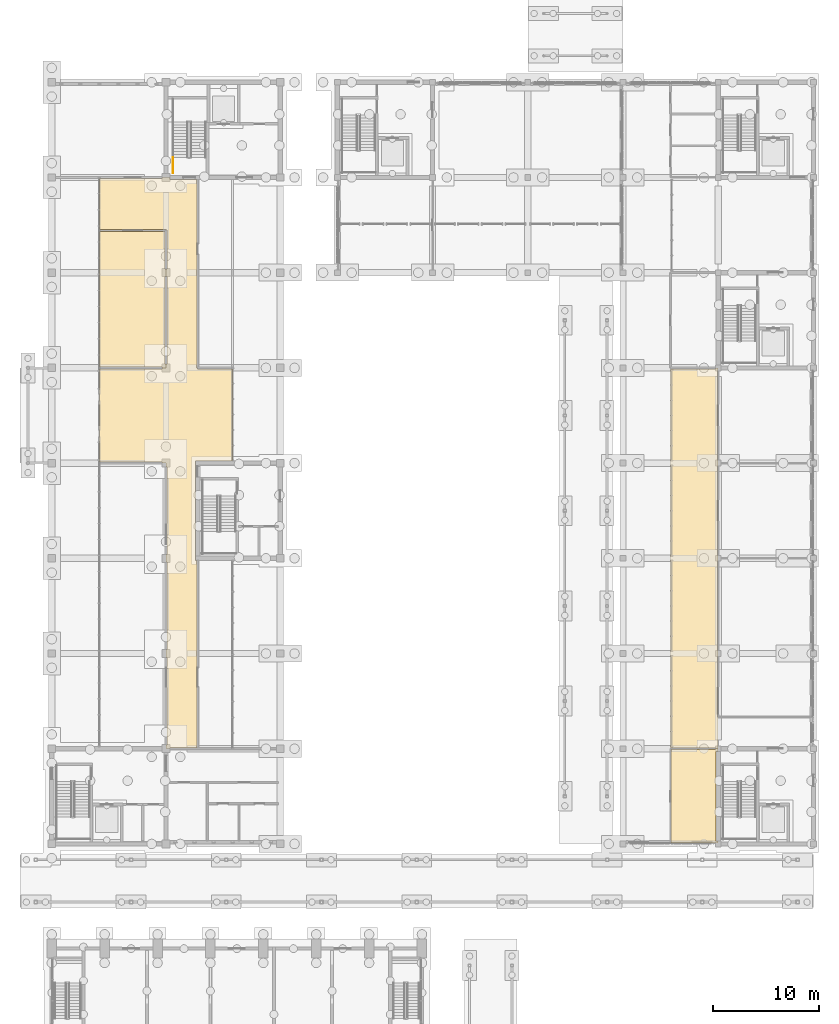
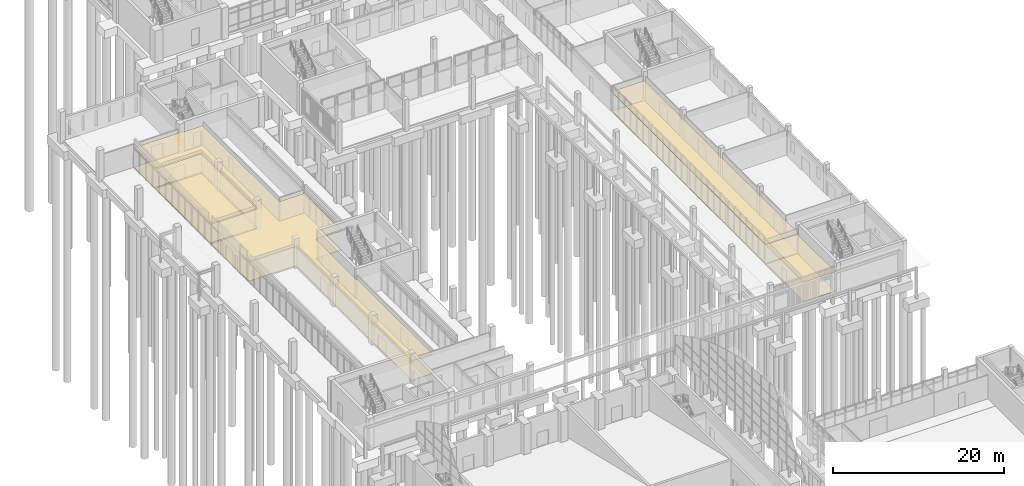
# One storey, part 93 of 106: 8 coverings, 1 railing.
"""IFC4 building model written with IfcOpenShell, lengths in metres."""

from ifc_helpers import new_model, si_unit, direction, frame, origin, origin_2d, place, context, subcontext, project, spatial, polyline, circle, outline, extrude, material, layer, layer_set, type_object, element, save


model = new_model("IFC4")

# Units and contexts
model_context = context("Model", 3, precision=1e-05, world=origin(), true_north=direction((0.0, 1.0)))
body_context = subcontext(model_context, "Body", "Model", "MODEL_VIEW")
ifc_project = project(units=[si_unit("LENGTHUNIT", "METRE"), si_unit("AREAUNIT", "SQUARE_METRE"), si_unit("VOLUMEUNIT", "CUBIC_METRE"), si_unit("PLANEANGLEUNIT", "RADIAN"), si_unit("MASSUNIT", "GRAM", prefix="KILO")], contexts=[model_context])

# Site, building, storey
site_placement = place(None, origin())
site = spatial("IfcSite", under=ifc_project, at=site_placement, CompositionType="ELEMENT")
building_placement = place(site_placement, origin())
building = spatial("IfcBuilding", under=site, at=building_placement, Name="Merrow Basin Faculty of Sciences", CompositionType="ELEMENT")
storey_placement = place(building_placement, origin())
storey = spatial("IfcBuildingStorey", under=building, at=storey_placement, Name="L00", CompositionType="ELEMENT", Elevation=0.0)

# Coverings
ifc_material_1 = material(Name="Carpet tile floor")
ifc_layer_1 = layer(ifc_material_1, 0.02001953125)
ifc_layer_set_1 = layer_set([ifc_layer_1], Name="Carpet tile floor")
covering_type_1 = type_object("IfcCoveringType", Name="Carpet tile floor", PredefinedType="FLOORING", material=ifc_layer_set_1)
covering_1_placement = place(storey_placement, origin())
element("IfcCovering", 1, at=covering_1_placement, inside=storey, type_object=covering_type_1, Name="Floor finish L00-C-020", PredefinedType="FLOORING", context=body_context, shape_type="SweptSolid", body=[
    extrude(outline(polyline([(62.989990234375, 105.989990234375), (62.989990234375, 105.735107421875), (62.93994140625, 105.735107421875), (62.93994140625, 97.264892578125), (62.989990234375, 97.264892578125), (62.989990234375, 96.735107421875), (62.93994140625, 96.735107421875), (62.93994140625, 88.264892578125), (62.989990234375, 88.264892578125), (62.989990234375, 87.735107421875), (62.93994140625, 87.735107421875), (62.93994140625, 79.264892578125), (62.989990234375, 79.264892578125), (62.989990234375, 78.735107421875), (62.93994140625, 78.735107421875), (62.93994140625, 72.989990234375), (62.989990234375, 72.989990234375), (62.989990234375, 70.010009765625), (62.735107421875, 70.010009765625), (62.735107421875, 70.06005859375), (58.510009765625, 70.06005859375), (58.510009765625, 105.9150390625), (62.735107421875, 105.9150390625), (62.735107421875, 105.989990234375), (62.989990234375, 105.989990234375)])), origin(), (0.0, 0.0, 1.0), 0.02001953125),
])
covering_2_placement = place(storey_placement, origin())
element("IfcCovering", 2, at=covering_2_placement, inside=storey, type_object=covering_type_1, Name="Floor finish L00-C-024", PredefinedType="FLOORING", context=body_context, shape_type="SweptSolid", body=[
    extrude(outline(polyline([(62.989990234375, 69.989990234375), (62.989990234375, 69.735107421875), (62.7900390625, 69.735107421875), (62.7900390625, 61.264892578125), (62.989990234375, 61.264892578125), (62.989990234375, 61.110107421875), (58.56005859375, 61.110107421875), (58.56005859375, 69.93994140625), (62.735107421875, 69.93994140625), (62.735107421875, 69.989990234375), (62.989990234375, 69.989990234375)])), origin(), (0.0, 0.0, 1.0), 0.02001953125),
])
ifc_material_2 = material(Name="Polished terrazzo floor")
ifc_layer_2 = layer(ifc_material_2, 0.02001953125)
ifc_layer_set_2 = layer_set([ifc_layer_2], Name="Polished terrazzo floor")
covering_type_2 = type_object("IfcCoveringType", Name="Polished terrazzo floor", PredefinedType="FLOORING", material=ifc_layer_set_2)
covering_3_placement = place(storey_placement, origin())
element("IfcCovering", 3, at=covering_3_placement, inside=storey, type_object=covering_type_2, Name="Floor finish L00-B-019", PredefinedType="FLOORING", context=body_context, shape_type="SweptSolid", body=[
    extrude(outline(polyline([(10.43505859375, 97.010009765625), (10.43505859375, 97.0849609375), (4.510009765625, 97.0849609375), (4.510009765625, 105.9150390625), (10.43505859375, 105.9150390625), (10.43505859375, 105.989990234375), (10.81005859375, 105.989990234375), (10.81005859375, 106.364990234375), (10.885009765625, 106.364990234375), (10.885009765625, 114.635009765625), (10.81005859375, 114.635009765625), (10.81005859375, 115.364990234375), (10.885009765625, 115.364990234375), (10.885009765625, 119.010009765625), (10.81005859375, 119.010009765625), (10.81005859375, 119.0849609375), (4.510009765625, 119.0849609375), (4.510009765625, 123.9150390625), (10.43505859375, 123.9150390625), (10.43505859375, 123.989990234375), (11.1650390625, 123.989990234375), (11.1650390625, 123.7900390625), (13.715087890625, 123.7900390625), (13.715087890625, 105.989990234375), (13.7900390625, 105.989990234375), (13.7900390625, 105.9150390625), (17.090087890625, 105.9150390625), (17.090087890625, 97.2099609375), (13.590087890625, 97.2099609375), (13.590087890625, 96.800048828125), (13.590087890625, 88.2099609375), (13.590087890625, 87.7900390625), (13.715087890625, 87.7900390625), (13.715087890625, 70.0849609375), (11.1650390625, 70.0849609375), (11.1650390625, 70.010009765625), (10.81005859375, 70.010009765625), (10.81005859375, 70.364990234375), (10.885009765625, 70.364990234375), (10.885009765625, 78.635009765625), (10.81005859375, 78.635009765625), (10.81005859375, 79.364990234375), (10.885009765625, 79.364990234375), (10.885009765625, 87.635009765625), (10.81005859375, 87.635009765625), (10.81005859375, 88.364990234375), (10.885009765625, 88.364990234375), (10.885009765625, 96.635009765625), (10.81005859375, 96.635009765625), (10.81005859375, 97.010009765625), (10.43505859375, 97.010009765625)])), origin(), (0.0, 0.0, 1.0), 0.02001953125),
])
covering_4_placement = place(storey_placement, origin())
element("IfcCovering", 4, at=covering_4_placement, inside=storey, type_object=covering_type_2, Name="Floor finish L00-B-022", PredefinedType="FLOORING", context=body_context, shape_type="SweptSolid", body=[
    extrude(outline(polyline([(4.510009765625, 118.9150390625), (10.715087890625, 118.9150390625), (10.715087890625, 115.364990234375), (10.7900390625, 115.364990234375), (10.7900390625, 114.635009765625), (10.715087890625, 114.635009765625), (10.715087890625, 106.364990234375), (10.7900390625, 106.364990234375), (10.7900390625, 106.010009765625), (10.43505859375, 106.010009765625), (10.43505859375, 106.0849609375), (4.510009765625, 106.0849609375), (4.510009765625, 118.9150390625)])), origin(), (0.0, 0.0, 1.0), 0.02001953125),
])

# Railing
ifc_material_3 = material(Name="Steel ASTM A36", Category="steel")
railing_type = type_object("IfcRailingType", Name="Steel guard 1100", PredefinedType="GUARDRAIL", material=ifc_material_3)
railing_placement = place(storey_placement, frame((11.449951171875, 124.39990234375, 0.0)))
element("IfcRailing", 5, at=railing_placement, inside=storey, type_object=railing_type, Name="L00 ST-V4-N stair guard 6", PredefinedType="GUARDRAIL", context=body_context, shape_type="SweptSolid", body=[
    extrude(circle(Radius=0.02392578125, at=origin_2d()), frame((0.0, 0.0, 1.076171875), z_axis=(0.0, 1.0, 0.0), x_axis=(-1.0, 0.0, 0.0)), (0.0, 0.0, 1.0), 1.5),
    extrude(circle(Radius=0.02099609375, at=origin_2d()), origin(), (0.0, 0.0, 1.0), 1.052001953125),
    extrude(circle(Radius=0.02099609375, at=origin_2d()), frame((0.0, 0.75, 0.0)), (0.0, 0.0, 1.0), 1.052001953125),
    extrude(circle(Radius=0.02099609375, at=origin_2d()), frame((0.0, 1.5, 0.0)), (0.0, 0.0, 1.0), 1.052001953125),
])

# Coverings
ifc_material_4 = material(Name="Mineral fibre ceiling tile")
ifc_layer_3 = layer(ifc_material_4, 0.050048828125)
ifc_layer_set_3 = layer_set([ifc_layer_3], Name="Suspended acoustic ceiling tile")
covering_type_3 = type_object("IfcCoveringType", Name="Suspended acoustic ceiling tile", PredefinedType="CEILING", material=ifc_layer_set_3)
covering_5_placement = place(storey_placement, frame((0.0, 0.0, 2.75)))
element("IfcCovering", 6, at=covering_5_placement, inside=storey, type_object=covering_type_3, Name="Ceiling L00-B-019", PredefinedType="CEILING", context=body_context, shape_type="SweptSolid", body=[
    extrude(outline(polyline([(10.43505859375, 97.010009765625), (10.43505859375, 97.0849609375), (4.510009765625, 97.0849609375), (4.510009765625, 105.9150390625), (10.43505859375, 105.9150390625), (10.43505859375, 105.989990234375), (10.81005859375, 105.989990234375), (10.81005859375, 106.364990234375), (10.885009765625, 106.364990234375), (10.885009765625, 114.635009765625), (10.81005859375, 114.635009765625), (10.81005859375, 115.364990234375), (10.885009765625, 115.364990234375), (10.885009765625, 119.010009765625), (10.81005859375, 119.010009765625), (10.81005859375, 119.0849609375), (4.510009765625, 119.0849609375), (4.510009765625, 123.9150390625), (10.43505859375, 123.9150390625), (10.43505859375, 123.989990234375), (11.1650390625, 123.989990234375), (11.1650390625, 123.7900390625), (13.715087890625, 123.7900390625), (13.715087890625, 105.989990234375), (13.7900390625, 105.989990234375), (13.7900390625, 105.9150390625), (17.090087890625, 105.9150390625), (17.090087890625, 97.2099609375), (13.590087890625, 97.2099609375), (13.590087890625, 96.800048828125), (13.590087890625, 88.2099609375), (13.590087890625, 87.7900390625), (13.715087890625, 87.7900390625), (13.715087890625, 70.0849609375), (11.1650390625, 70.0849609375), (11.1650390625, 70.010009765625), (10.81005859375, 70.010009765625), (10.81005859375, 70.364990234375), (10.885009765625, 70.364990234375), (10.885009765625, 78.635009765625), (10.81005859375, 78.635009765625), (10.81005859375, 79.364990234375), (10.885009765625, 79.364990234375), (10.885009765625, 87.635009765625), (10.81005859375, 87.635009765625), (10.81005859375, 88.364990234375), (10.885009765625, 88.364990234375), (10.885009765625, 96.635009765625), (10.81005859375, 96.635009765625), (10.81005859375, 97.010009765625), (10.43505859375, 97.010009765625)])), origin(), (0.0, 0.0, 1.0), 0.050048828125),
])
covering_6_placement = place(storey_placement, frame((0.0, 0.0, 2.75)))
element("IfcCovering", 7, at=covering_6_placement, inside=storey, type_object=covering_type_3, Name="Ceiling L00-B-022", PredefinedType="CEILING", context=body_context, shape_type="SweptSolid", body=[
    extrude(outline(polyline([(4.510009765625, 118.9150390625), (10.715087890625, 118.9150390625), (10.715087890625, 115.364990234375), (10.7900390625, 115.364990234375), (10.7900390625, 114.635009765625), (10.715087890625, 114.635009765625), (10.715087890625, 106.364990234375), (10.7900390625, 106.364990234375), (10.7900390625, 106.010009765625), (10.43505859375, 106.010009765625), (10.43505859375, 106.0849609375), (4.510009765625, 106.0849609375), (4.510009765625, 118.9150390625)])), origin(), (0.0, 0.0, 1.0), 0.050048828125),
])
covering_7_placement = place(storey_placement, frame((0.0, 0.0, 2.75)))
element("IfcCovering", 8, at=covering_7_placement, inside=storey, type_object=covering_type_3, Name="Ceiling L00-C-020", PredefinedType="CEILING", context=body_context, shape_type="SweptSolid", body=[
    extrude(outline(polyline([(63.0, 106.0), (63.0, 105.72509765625), (62.949951171875, 105.72509765625), (62.949951171875, 97.27490234375), (63.0, 97.27490234375), (63.0, 96.72509765625), (62.949951171875, 96.72509765625), (62.949951171875, 88.27490234375), (63.0, 88.27490234375), (63.0, 87.72509765625), (62.949951171875, 87.72509765625), (62.949951171875, 79.27490234375), (63.0, 79.27490234375), (63.0, 78.72509765625), (62.949951171875, 78.72509765625), (62.949951171875, 73.0), (63.0, 73.0), (63.0, 70.0), (62.72509765625, 70.0), (62.72509765625, 70.050048828125), (58.5, 70.050048828125), (58.5, 105.925048828125), (62.72509765625, 105.925048828125), (62.72509765625, 106.0), (63.0, 106.0)])), origin(), (0.0, 0.0, 1.0), 0.050048828125),
])
covering_8_placement = place(storey_placement, frame((0.0, 0.0, 2.75)))
element("IfcCovering", 9, at=covering_8_placement, inside=storey, type_object=covering_type_3, Name="Ceiling L00-C-024", PredefinedType="CEILING", context=body_context, shape_type="SweptSolid", body=[
    extrude(outline(polyline([(63.0, 70.0), (63.0, 69.72509765625), (62.800048828125, 69.72509765625), (62.800048828125, 61.27490234375), (63.0, 61.27490234375), (63.0, 61.10009765625), (58.550048828125, 61.10009765625), (58.550048828125, 69.949951171875), (62.72509765625, 69.949951171875), (62.72509765625, 70.0), (63.0, 70.0)])), origin(), (0.0, 0.0, 1.0), 0.050048828125),
])

save(model, "model.ifc")
